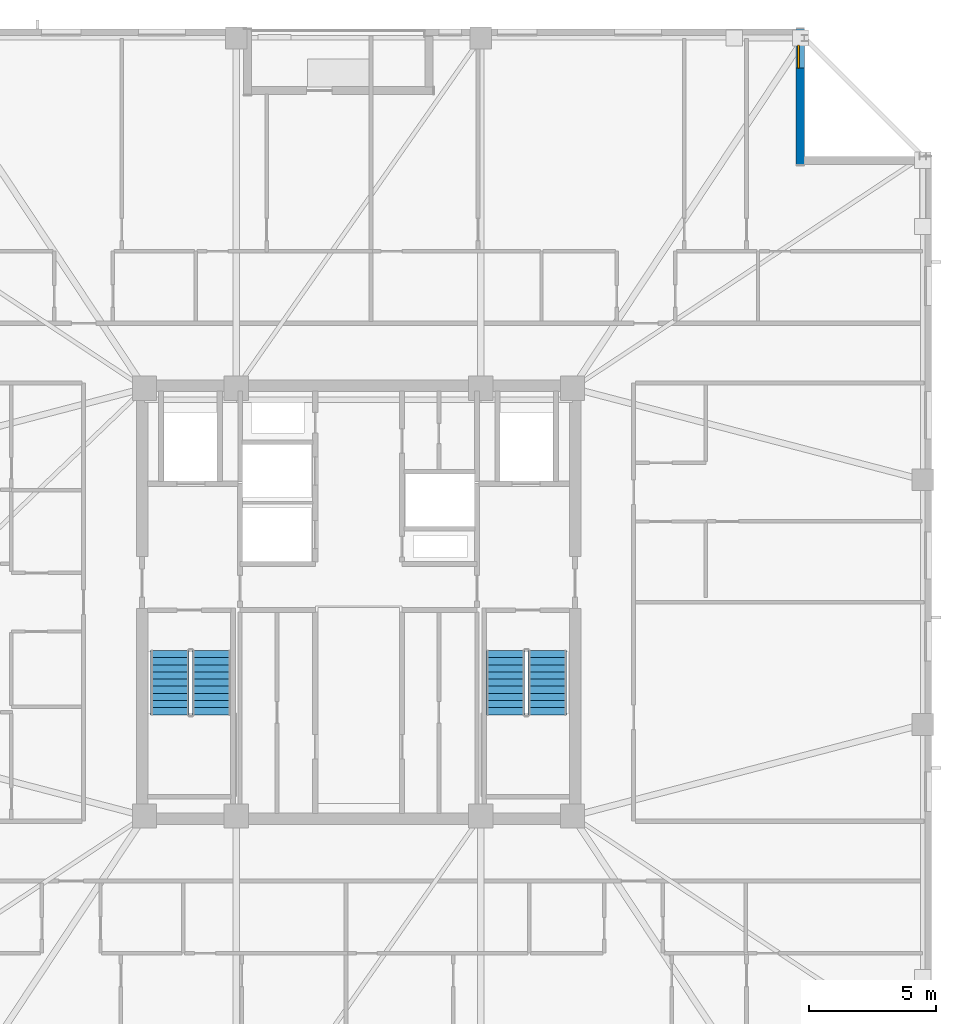
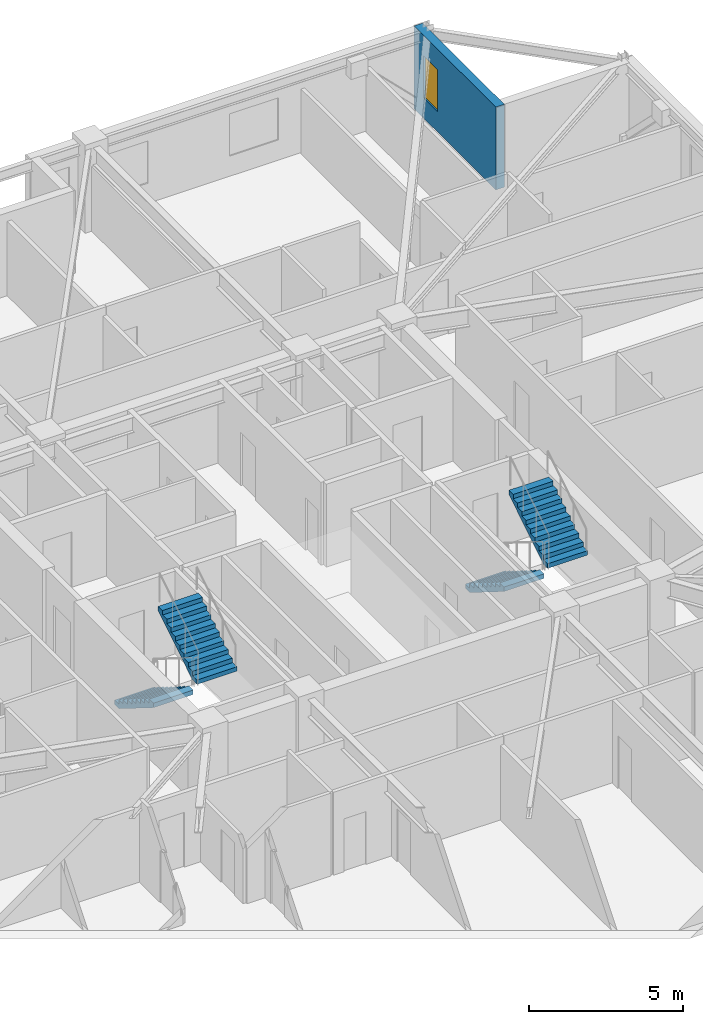
# One storey, part 12 of 17: 4 stair flights, 1 wall, 1 window, 1 opening, 2 elements without a shape of their own.
"""IFC4 building model written with IfcOpenShell, lengths in metres."""

from ifc_helpers import new_model, si_unit, direction, frame, frame_2d, origin, place, context, subcontext, project, spatial, polyline, rectangle, outline, extrude, material, layer, layer_set, type_object, element, fill, aggregate, save


model = new_model("IFC4")

# Units and contexts
model_context = context("Model", 3, precision=1e-05, world=origin(), true_north=direction((0.0, 1.0)))
body_context = subcontext(model_context, "Body", "Model", "MODEL_VIEW")
ifc_project = project(units=[si_unit("LENGTHUNIT", "METRE"), si_unit("AREAUNIT", "SQUARE_METRE"), si_unit("VOLUMEUNIT", "CUBIC_METRE"), si_unit("PLANEANGLEUNIT", "RADIAN"), si_unit("MASSUNIT", "GRAM", prefix="KILO")], contexts=[model_context])

# Site, building, storey
site_placement = place(None, origin())
site = spatial("IfcSite", under=ifc_project, at=site_placement, CompositionType="ELEMENT")
building_placement = place(site_placement, origin())
building = spatial("IfcBuilding", under=site, at=building_placement, Name="Cairnveth Concourse Tower", CompositionType="ELEMENT")
storey_placement = place(building_placement, frame((0.0, 0.0, 206.0)))
storey = spatial("IfcBuildingStorey", under=building, at=storey_placement, Name="L56", CompositionType="ELEMENT", Elevation=206.0)

# Wall, opening, window
ifc_material_1 = material(Name="Melbourne Buff Fired Clay Brick Masonry", Category="masonry")
ifc_layer = layer(ifc_material_1, 0.320068359375)
ifc_layer_set = layer_set([ifc_layer], Name="Melbourne Buff Fired Clay Brick Masonry")
wall_type = type_object("IfcWallType", Name="ZONE 3 BRICK PIER SPANDREL WALL 320", PredefinedType="SOLIDWALL", material=ifc_layer_set)
wall_placement = place(storey_placement, frame((69.340087890625, 61.5, 0.0), z_axis=(0.0, 0.0, 1.0), x_axis=(0.0, -1.0, 0.0)))
wall = element("IfcWall", 1, at=wall_placement, inside=storey, type_object=wall_type, Name="Exterior Wall EW-L56-S01", PredefinedType="SOLIDWALL", context=body_context, shape_type="SweptSolid", body=[
    extrude(rectangle(XDim=5.320068359375, YDim=0.320068359375, at=frame_2d((2.66015625, 0.0))), origin(), (0.0, 0.0, 1.0), 3.2900390625),
])
opening_placement = place(wall_placement, frame((0.6298828125, 0.0, 0.800048828125)))
opening = element("IfcOpeningElement", 2, at=opening_placement, cuts=wall, Name="Opening W13", PredefinedType="OPENING", context=body_context, shape_type="SweptSolid", body=[
    extrude(rectangle(XDim=0.89990234375, YDim=1.677978515625, at=frame_2d((0.449951171875, 0.8388671875))), frame((0.0, 0.169921875, 0.0), z_axis=(0.0, -1.0, 0.0), x_axis=(1.0, 0.0, 0.0)), (0.0, 0.0, 1.0), 0.340087890625),
])
ifc_material_2 = material(Name="Double Glazed Low-E Clear Glass", Category="glass")
window_type = type_object("IfcWindowType", Name="DEEP-SET BEDROOM LANCET WINDOW 900X1750", PartitioningType="DOUBLE_PANEL_VERTICAL", PredefinedType="WINDOW", material=ifc_material_2)
window_placement = place(opening_placement, origin())
window = element("IfcWindow", 3, at=window_placement, inside=storey, type_object=window_type, Name="Dwelling Lancet Window L56-DW5", OverallHeight=1.677978515625, OverallWidth=0.89990234375, PartitioningType="SINGLE_PANEL", PredefinedType="WINDOW", context=body_context, shape_type="SweptSolid", body=[
    extrude(rectangle(XDim=0.89990234375, YDim=1.677978515625, at=frame_2d((0.449951171875, 0.8388671875))), frame((0.0, -0.0400390625, 0.0), z_axis=(0.0, -1.0, 0.0), x_axis=(1.0, 0.0, 0.0)), (0.0, 0.0, 1.0), 0.06005859375),
])
fill(opening, window)

# Stair, stair flights
ifc_material_3 = material(Name="Precast concrete N50 (50 MPa)", Category="concrete")
stair_type = type_object("IfcStairType", Name="CORE DOG-LEG FIRE STAIR 1500", PredefinedType="HALF_TURN_STAIR", material=ifc_material_3)
stair_1_placement = place(storey_placement, origin())
stair_1 = element("IfcStair", 4, at=stair_1_placement, inside=storey, type_object=stair_type, Name="L56 Fire-Isolated Stair ST-1", PredefinedType="HALF_TURN_STAIR")
stair_flight_type = type_object("IfcStairFlightType", Name="PRECAST CONCRETE STAIR FLIGHT 1500", PredefinedType="STRAIGHT", material=ifc_material_3)
stair_flight_1_placement = place(storey_placement, frame((44.590087890625, 37.10009765625, 0.0), z_axis=(0.0, 0.0, 1.0), x_axis=(0.0, -1.0, 0.0)))
stair_flight_1 = element("IfcStairFlight", 5, at=stair_flight_1_placement, type_object=stair_flight_type, Name="ST-1 flight 1", NumberOfRisers=10, NumberOfTreads=9, PredefinedType="STRAIGHT", RiserHeight=0.175, TreadLength=0.28, context=body_context, shape_type="SweptSolid", body=[
    extrude(outline(polyline([(0.0, 0.0), (0.0, 0.175048828125), (0.280029296875, 0.175048828125), (0.280029296875, 0.35009765625), (0.56005859375, 0.35009765625), (0.56005859375, 0.52490234375), (0.840087890625, 0.52490234375), (0.840087890625, 0.699951171875), (1.1201171875, 0.699951171875), (1.1201171875, 0.875), (1.39990234375, 0.875), (1.39990234375, 1.050048828125), (1.679931640625, 1.050048828125), (1.679931640625, 1.22509765625), (1.9599609375, 1.22509765625), (1.9599609375, 1.39990234375), (2.239990234375, 1.39990234375), (2.239990234375, 1.574951171875), (2.52001953125, 1.574951171875), (2.52001953125, 1.75), (2.52001953125, 1.398193359375), (0.28271484375, 0.0), (0.0, 0.0)])), frame((0.0, 0.75, 0.0), z_axis=(0.0, -1.0, 0.0), x_axis=(1.0, 0.0, 0.0)), (0.0, 0.0, 1.0), 1.5),
])
stair_flight_2_placement = place(storey_placement, frame((46.22998046875, 34.580078125, 1.75), z_axis=(0.0, 0.0, 1.0), x_axis=(0.0, 1.0, 0.0)))
stair_flight_2 = element("IfcStairFlight", 6, at=stair_flight_2_placement, type_object=stair_flight_type, Name="ST-1 flight 2", NumberOfRisers=10, NumberOfTreads=9, PredefinedType="STRAIGHT", RiserHeight=0.175, TreadLength=0.28, context=body_context, shape_type="SweptSolid", body=[
    extrude(outline(polyline([(0.0, 0.0), (0.0, 0.175048828125), (0.280029296875, 0.175048828125), (0.280029296875, 0.35009765625), (0.56005859375, 0.35009765625), (0.56005859375, 0.52490234375), (0.840087890625, 0.52490234375), (0.840087890625, 0.699951171875), (1.1201171875, 0.699951171875), (1.1201171875, 0.875), (1.39990234375, 0.875), (1.39990234375, 1.050048828125), (1.679931640625, 1.050048828125), (1.679931640625, 1.22509765625), (1.9599609375, 1.22509765625), (1.9599609375, 1.39990234375), (2.239990234375, 1.39990234375), (2.239990234375, 1.574951171875), (2.52001953125, 1.574951171875), (2.52001953125, 1.75), (2.52001953125, 1.398193359375), (0.28271484375, 0.0), (0.0, 0.0)])), frame((0.0, 0.75, 0.0), z_axis=(0.0, -1.0, 0.0), x_axis=(1.0, 0.0, 0.0)), (0.0, 0.0, 1.0), 1.5),
])
aggregate(stair_1, [stair_flight_1, stair_flight_2])

stair_2_placement = place(storey_placement, origin())
stair_2 = element("IfcStair", 7, at=stair_2_placement, inside=storey, type_object=stair_type, Name="L56 Fire-Isolated Stair ST-2", PredefinedType="HALF_TURN_STAIR")
stair_flight_3_placement = place(storey_placement, frame((57.77001953125, 37.10009765625, 0.0), z_axis=(0.0, 0.0, 1.0), x_axis=(0.0, -1.0, 0.0)))
stair_flight_3 = element("IfcStairFlight", 8, at=stair_flight_3_placement, type_object=stair_flight_type, Name="ST-2 flight 1", NumberOfRisers=10, NumberOfTreads=9, PredefinedType="STRAIGHT", RiserHeight=0.175, TreadLength=0.28, context=body_context, shape_type="SweptSolid", body=[
    extrude(outline(polyline([(0.0, 0.0), (0.0, 0.175048828125), (0.280029296875, 0.175048828125), (0.280029296875, 0.35009765625), (0.56005859375, 0.35009765625), (0.56005859375, 0.52490234375), (0.840087890625, 0.52490234375), (0.840087890625, 0.699951171875), (1.1201171875, 0.699951171875), (1.1201171875, 0.875), (1.39990234375, 0.875), (1.39990234375, 1.050048828125), (1.679931640625, 1.050048828125), (1.679931640625, 1.22509765625), (1.9599609375, 1.22509765625), (1.9599609375, 1.39990234375), (2.239990234375, 1.39990234375), (2.239990234375, 1.574951171875), (2.52001953125, 1.574951171875), (2.52001953125, 1.75), (2.52001953125, 1.398193359375), (0.28271484375, 0.0), (0.0, 0.0)])), frame((0.0, 0.75, 0.0), z_axis=(0.0, -1.0, 0.0), x_axis=(1.0, 0.0, 0.0)), (0.0, 0.0, 1.0), 1.5),
])
stair_flight_4_placement = place(storey_placement, frame((59.409912109375, 34.580078125, 1.75), z_axis=(0.0, 0.0, 1.0), x_axis=(0.0, 1.0, 0.0)))
stair_flight_4 = element("IfcStairFlight", 9, at=stair_flight_4_placement, type_object=stair_flight_type, Name="ST-2 flight 2", NumberOfRisers=10, NumberOfTreads=9, PredefinedType="STRAIGHT", RiserHeight=0.175, TreadLength=0.28, context=body_context, shape_type="SweptSolid", body=[
    extrude(outline(polyline([(0.0, 0.0), (0.0, 0.175048828125), (0.280029296875, 0.175048828125), (0.280029296875, 0.35009765625), (0.56005859375, 0.35009765625), (0.56005859375, 0.52490234375), (0.840087890625, 0.52490234375), (0.840087890625, 0.699951171875), (1.1201171875, 0.699951171875), (1.1201171875, 0.875), (1.39990234375, 0.875), (1.39990234375, 1.050048828125), (1.679931640625, 1.050048828125), (1.679931640625, 1.22509765625), (1.9599609375, 1.22509765625), (1.9599609375, 1.39990234375), (2.239990234375, 1.39990234375), (2.239990234375, 1.574951171875), (2.52001953125, 1.574951171875), (2.52001953125, 1.75), (2.52001953125, 1.398193359375), (0.28271484375, 0.0), (0.0, 0.0)])), frame((0.0, 0.75, 0.0), z_axis=(0.0, -1.0, 0.0), x_axis=(1.0, 0.0, 0.0)), (0.0, 0.0, 1.0), 1.5),
])
aggregate(stair_2, [stair_flight_3, stair_flight_4])

save(model, "model.ifc")
